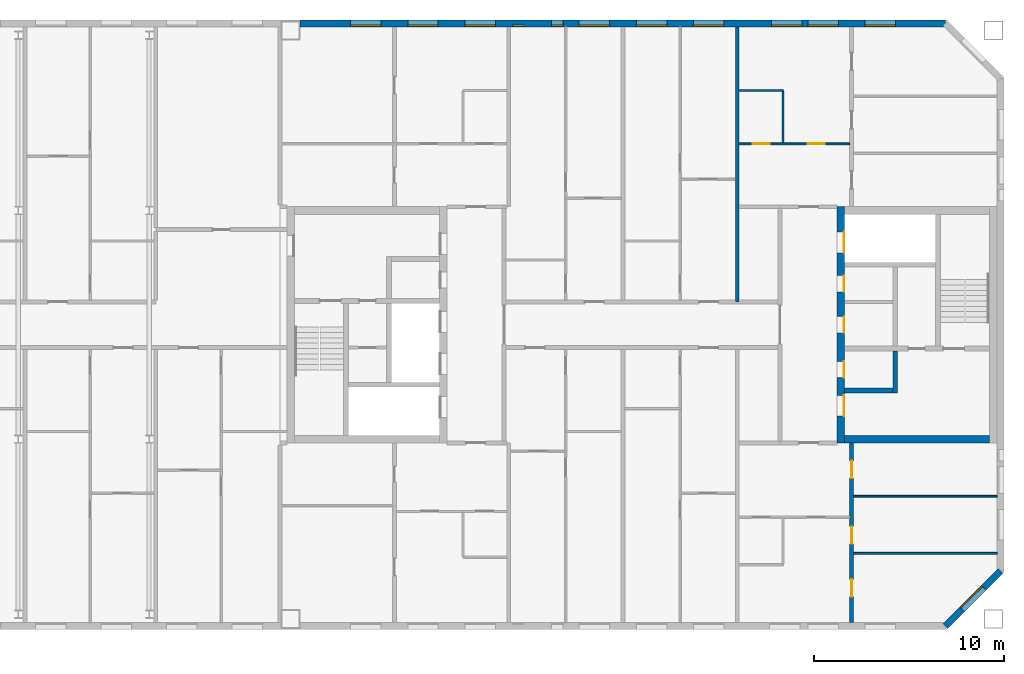
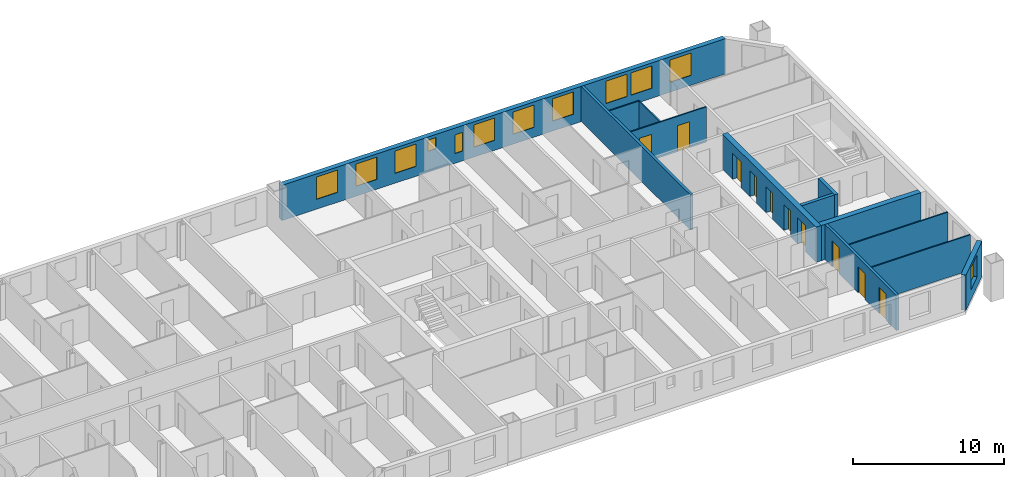
# One storey, part 16 of 19: 13 walls, 12 windows, 10 doors, 22 openings.
"""IFC4 building model written with IfcOpenShell, lengths in metres."""

from ifc_helpers import new_model, si_unit, direction, frame, frame_2d, origin, place, context, subcontext, project, spatial, rectangle, extrude, material, layer, layer_set, type_object, element, fill, save


model = new_model("IFC4")

# Units and contexts
model_context = context("Model", 3, precision=1e-05, world=origin(), true_north=direction((0.0, 1.0)))
body_context = subcontext(model_context, "Body", "Model", "MODEL_VIEW")
ifc_project = project(units=[si_unit("LENGTHUNIT", "METRE"), si_unit("AREAUNIT", "SQUARE_METRE"), si_unit("VOLUMEUNIT", "CUBIC_METRE"), si_unit("PLANEANGLEUNIT", "RADIAN"), si_unit("MASSUNIT", "GRAM", prefix="KILO")], contexts=[model_context])

# Site, building, storey
site_placement = place(None, origin())
site = spatial("IfcSite", under=ifc_project, at=site_placement, CompositionType="ELEMENT")
building_placement = place(site_placement, origin())
building = spatial("IfcBuilding", under=site, at=building_placement, Name="Tuart Gate Housing", CompositionType="ELEMENT")
storey_placement = place(building_placement, frame((0.0, 0.0, 224.5)))
storey = spatial("IfcBuildingStorey", under=building, at=storey_placement, Name="L63", CompositionType="ELEMENT", Elevation=224.5)

# Wall, opening, window
ifc_material_1 = material(Name="Brick", Category="masonry")
ifc_layer_1 = layer(ifc_material_1, 0.360107421875)
ifc_layer_set_1 = layer_set([ifc_layer_1], Name="Brick pier and spandrel wall 360")
wall_type_1 = type_object("IfcWallType", Name="Brick pier and spandrel wall 360", PredefinedType="STANDARD", material=ifc_layer_set_1)
wall_1_placement = place(storey_placement, frame((165.92529296875, 54.179931640625, 0.0), z_axis=(0.0, 0.0, 1.0), x_axis=(0.707106781187, 0.707106781187, 0.0)))
wall_1 = element("IfcWall", 1, at=wall_1_placement, inside=storey, type_object=wall_type_1, Name="External wall BLK-SE L63", PredefinedType="STANDARD", context=body_context, shape_type="SweptSolid", body=[
    extrude(rectangle(XDim=4.09375, YDim=0.360107421875, at=frame_2d((2.046875, 0.0))), origin(), (0.0, 0.0, 1.0), 2.85009765625),
])
opening_1_placement = place(wall_1_placement, frame((1.2470703125, 0.0, 0.800048828125)))
opening_1 = element("IfcOpeningElement", 2, at=opening_1_placement, cuts=wall_1, Name="Opening W1", PredefinedType="OPENING", context=body_context, shape_type="SweptSolid", body=[
    extrude(rectangle(XDim=1.60009765625, YDim=1.800048828125, at=frame_2d((0.800048828125, 0.89990234375))), frame((0.0, 0.18994140625, 0.0), z_axis=(0.0, -1.0, 0.0), x_axis=(1.0, 0.0, 0.0)), (0.0, 0.0, 1.0), 0.380126953125),
])
ifc_material_2 = material(Name="Aluminium frame with clear glass", Category="aluminium")
window_type_1 = type_object("IfcWindowType", Name="Punched window 1600 x 1800", PartitioningType="SINGLE_PANEL", PredefinedType="WINDOW", material=ifc_material_2)
window_1_placement = place(opening_1_placement, origin())
window_1 = element("IfcWindow", 3, at=window_1_placement, inside=storey, type_object=window_type_1, Name="Window W1", OverallHeight=1.800048828125, OverallWidth=1.60009765625, PartitioningType="SINGLE_PANEL", PredefinedType="WINDOW", context=body_context, shape_type="SweptSolid", body=[
    extrude(rectangle(XDim=1.60009765625, YDim=1.800048828125, at=frame_2d((0.800048828125, 0.89990234375))), frame((0.0, 0.150146484375, 0.0), z_axis=(0.0, -1.0, 0.0), x_axis=(1.0, 0.0, 0.0)), (0.0, 0.0, 1.0), 0.06005859375),
])
fill(opening_1, window_1)

# Wall, openings, windows
wall_2_placement = place(storey_placement, frame((165.92529296875, 85.820068359375, 0.0), z_axis=(0.0, 0.0, 1.0), x_axis=(-1.0, 0.0, 0.0)))
wall_2 = element("IfcWall", 4, at=wall_2_placement, inside=storey, type_object=wall_type_1, Name="External wall BLK-N L63", PredefinedType="STANDARD", context=body_context, shape_type="SweptSolid", body=[
    extrude(rectangle(XDim=33.875244140625, YDim=0.360107421875, at=frame_2d((16.9375, 0.0))), origin(), (0.0, 0.0, 1.0), 2.85009765625),
])
opening_2_placement = place(wall_2_placement, frame((2.62548828125, 0.0, 0.800048828125)))
opening_2 = element("IfcOpeningElement", 5, at=opening_2_placement, cuts=wall_2, Name="Opening W1", PredefinedType="OPENING", context=body_context, shape_type="SweptSolid", body=[
    extrude(rectangle(XDim=1.60009765625, YDim=1.800048828125, at=frame_2d((0.800048828125, 0.89990234375))), frame((0.0, 0.18994140625, 0.0), z_axis=(0.0, -1.0, 0.0), x_axis=(1.0, 0.0, 0.0)), (0.0, 0.0, 1.0), 0.380126953125),
])
opening_3_placement = place(wall_2_placement, frame((5.62548828125, 0.0, 0.800048828125)))
opening_3 = element("IfcOpeningElement", 6, at=opening_3_placement, cuts=wall_2, Name="Opening W1", PredefinedType="OPENING", context=body_context, shape_type="SweptSolid", body=[
    extrude(rectangle(XDim=1.60009765625, YDim=1.800048828125, at=frame_2d((0.800048828125, 0.89990234375))), frame((0.0, 0.18994140625, 0.0), z_axis=(0.0, -1.0, 0.0), x_axis=(1.0, 0.0, 0.0)), (0.0, 0.0, 1.0), 0.380126953125),
])
opening_4_placement = place(wall_2_placement, frame((7.525390625, 0.0, 0.800048828125)))
opening_4 = element("IfcOpeningElement", 7, at=opening_4_placement, cuts=wall_2, Name="Opening W1", PredefinedType="OPENING", context=body_context, shape_type="SweptSolid", body=[
    extrude(rectangle(XDim=1.60009765625, YDim=1.800048828125, at=frame_2d((0.800048828125, 0.89990234375))), frame((0.0, 0.18994140625, 0.0), z_axis=(0.0, -1.0, 0.0), x_axis=(1.0, 0.0, 0.0)), (0.0, 0.0, 1.0), 0.380126953125),
])
opening_5_placement = place(wall_2_placement, frame((11.62548828125, 0.0, 0.800048828125)))
opening_5 = element("IfcOpeningElement", 8, at=opening_5_placement, cuts=wall_2, Name="Opening W1", PredefinedType="OPENING", context=body_context, shape_type="SweptSolid", body=[
    extrude(rectangle(XDim=1.60009765625, YDim=1.800048828125, at=frame_2d((0.800048828125, 0.89990234375))), frame((0.0, 0.18994140625, 0.0), z_axis=(0.0, -1.0, 0.0), x_axis=(1.0, 0.0, 0.0)), (0.0, 0.0, 1.0), 0.380126953125),
])
opening_6_placement = place(wall_2_placement, frame((14.62548828125, 0.0, 0.800048828125)))
opening_6 = element("IfcOpeningElement", 9, at=opening_6_placement, cuts=wall_2, Name="Opening W1", PredefinedType="OPENING", context=body_context, shape_type="SweptSolid", body=[
    extrude(rectangle(XDim=1.60009765625, YDim=1.800048828125, at=frame_2d((0.800048828125, 0.89990234375))), frame((0.0, 0.18994140625, 0.0), z_axis=(0.0, -1.0, 0.0), x_axis=(1.0, 0.0, 0.0)), (0.0, 0.0, 1.0), 0.380126953125),
])
opening_7_placement = place(wall_2_placement, frame((17.62548828125, 0.0, 0.800048828125)))
opening_7 = element("IfcOpeningElement", 10, at=opening_7_placement, cuts=wall_2, Name="Opening W1", PredefinedType="OPENING", context=body_context, shape_type="SweptSolid", body=[
    extrude(rectangle(XDim=1.60009765625, YDim=1.800048828125, at=frame_2d((0.800048828125, 0.89990234375))), frame((0.0, 0.18994140625, 0.0), z_axis=(0.0, -1.0, 0.0), x_axis=(1.0, 0.0, 0.0)), (0.0, 0.0, 1.0), 0.380126953125),
])
opening_8_placement = place(wall_2_placement, frame((20.075439453125, 0.0, 0.800048828125)))
opening_8 = element("IfcOpeningElement", 11, at=opening_8_placement, cuts=wall_2, Name="Opening W1K", PredefinedType="OPENING", context=body_context, shape_type="SweptSolid", body=[
    extrude(rectangle(XDim=0.60009765625, YDim=1.5, at=frame_2d((0.300048828125, 0.75))), frame((0.0, 0.18994140625, 0.0), z_axis=(0.0, -1.0, 0.0), x_axis=(1.0, 0.0, 0.0)), (0.0, 0.0, 1.0), 0.380126953125),
])
opening_9_placement = place(wall_2_placement, frame((23.62548828125, 0.0, 0.800048828125)))
opening_9 = element("IfcOpeningElement", 12, at=opening_9_placement, cuts=wall_2, Name="Opening W1", PredefinedType="OPENING", context=body_context, shape_type="SweptSolid", body=[
    extrude(rectangle(XDim=1.60009765625, YDim=1.800048828125, at=frame_2d((0.800048828125, 0.89990234375))), frame((0.0, 0.18994140625, 0.0), z_axis=(0.0, -1.0, 0.0), x_axis=(1.0, 0.0, 0.0)), (0.0, 0.0, 1.0), 0.380126953125),
])
opening_10_placement = place(wall_2_placement, frame((26.62548828125, 0.0, 0.800048828125)))
opening_10 = element("IfcOpeningElement", 13, at=opening_10_placement, cuts=wall_2, Name="Opening W1", PredefinedType="OPENING", context=body_context, shape_type="SweptSolid", body=[
    extrude(rectangle(XDim=1.60009765625, YDim=1.800048828125, at=frame_2d((0.800048828125, 0.89990234375))), frame((0.0, 0.18994140625, 0.0), z_axis=(0.0, -1.0, 0.0), x_axis=(1.0, 0.0, 0.0)), (0.0, 0.0, 1.0), 0.380126953125),
])
opening_11_placement = place(wall_2_placement, frame((29.62548828125, 0.0, 0.800048828125)))
opening_11 = element("IfcOpeningElement", 14, at=opening_11_placement, cuts=wall_2, Name="Opening W1", PredefinedType="OPENING", context=body_context, shape_type="SweptSolid", body=[
    extrude(rectangle(XDim=1.60009765625, YDim=1.800048828125, at=frame_2d((0.800048828125, 0.89990234375))), frame((0.0, 0.18994140625, 0.0), z_axis=(0.0, -1.0, 0.0), x_axis=(1.0, 0.0, 0.0)), (0.0, 0.0, 1.0), 0.380126953125),
])
opening_12_placement = place(wall_2_placement, frame((22.12548828125, 0.0, 1.699951171875)))
opening_12 = element("IfcOpeningElement", 15, at=opening_12_placement, cuts=wall_2, Name="Opening W1W", PredefinedType="OPENING", context=body_context, shape_type="SweptSolid", body=[
    extrude(rectangle(XDim=0.60009765625, YDim=0.89990234375, at=frame_2d((0.300048828125, 0.449951171875))), frame((0.0, 0.18994140625, 0.0), z_axis=(0.0, -1.0, 0.0), x_axis=(1.0, 0.0, 0.0)), (0.0, 0.0, 1.0), 0.380126953125),
])
window_2_placement = place(opening_2_placement, origin())
window_2 = element("IfcWindow", 16, at=window_2_placement, inside=storey, type_object=window_type_1, Name="Window W1", OverallHeight=1.800048828125, OverallWidth=1.60009765625, PartitioningType="SINGLE_PANEL", PredefinedType="WINDOW", context=body_context, shape_type="SweptSolid", body=[
    extrude(rectangle(XDim=1.60009765625, YDim=1.800048828125, at=frame_2d((0.800048828125, 0.89990234375))), frame((0.0, 0.150146484375, 0.0), z_axis=(0.0, -1.0, 0.0), x_axis=(1.0, 0.0, 0.0)), (0.0, 0.0, 1.0), 0.06005859375),
])
fill(opening_2, window_2)
window_3_placement = place(opening_3_placement, origin())
window_3 = element("IfcWindow", 17, at=window_3_placement, inside=storey, type_object=window_type_1, Name="Window W1", OverallHeight=1.800048828125, OverallWidth=1.60009765625, PartitioningType="SINGLE_PANEL", PredefinedType="WINDOW", context=body_context, shape_type="SweptSolid", body=[
    extrude(rectangle(XDim=1.60009765625, YDim=1.800048828125, at=frame_2d((0.800048828125, 0.89990234375))), frame((0.0, 0.150146484375, 0.0), z_axis=(0.0, -1.0, 0.0), x_axis=(1.0, 0.0, 0.0)), (0.0, 0.0, 1.0), 0.06005859375),
])
fill(opening_3, window_3)
window_4_placement = place(opening_4_placement, origin())
window_4 = element("IfcWindow", 18, at=window_4_placement, inside=storey, type_object=window_type_1, Name="Window W1", OverallHeight=1.800048828125, OverallWidth=1.60009765625, PartitioningType="SINGLE_PANEL", PredefinedType="WINDOW", context=body_context, shape_type="SweptSolid", body=[
    extrude(rectangle(XDim=1.60009765625, YDim=1.800048828125, at=frame_2d((0.800048828125, 0.89990234375))), frame((0.0, 0.150146484375, 0.0), z_axis=(0.0, -1.0, 0.0), x_axis=(1.0, 0.0, 0.0)), (0.0, 0.0, 1.0), 0.06005859375),
])
fill(opening_4, window_4)
window_5_placement = place(opening_5_placement, origin())
window_5 = element("IfcWindow", 19, at=window_5_placement, inside=storey, type_object=window_type_1, Name="Window W1", OverallHeight=1.800048828125, OverallWidth=1.60009765625, PartitioningType="SINGLE_PANEL", PredefinedType="WINDOW", context=body_context, shape_type="SweptSolid", body=[
    extrude(rectangle(XDim=1.60009765625, YDim=1.800048828125, at=frame_2d((0.800048828125, 0.89990234375))), frame((0.0, 0.150146484375, 0.0), z_axis=(0.0, -1.0, 0.0), x_axis=(1.0, 0.0, 0.0)), (0.0, 0.0, 1.0), 0.06005859375),
])
fill(opening_5, window_5)
window_6_placement = place(opening_6_placement, origin())
window_6 = element("IfcWindow", 20, at=window_6_placement, inside=storey, type_object=window_type_1, Name="Window W1", OverallHeight=1.800048828125, OverallWidth=1.60009765625, PartitioningType="SINGLE_PANEL", PredefinedType="WINDOW", context=body_context, shape_type="SweptSolid", body=[
    extrude(rectangle(XDim=1.60009765625, YDim=1.800048828125, at=frame_2d((0.800048828125, 0.89990234375))), frame((0.0, 0.150146484375, 0.0), z_axis=(0.0, -1.0, 0.0), x_axis=(1.0, 0.0, 0.0)), (0.0, 0.0, 1.0), 0.06005859375),
])
fill(opening_6, window_6)
window_7_placement = place(opening_7_placement, origin())
window_7 = element("IfcWindow", 21, at=window_7_placement, inside=storey, type_object=window_type_1, Name="Window W1", OverallHeight=1.800048828125, OverallWidth=1.60009765625, PartitioningType="SINGLE_PANEL", PredefinedType="WINDOW", context=body_context, shape_type="SweptSolid", body=[
    extrude(rectangle(XDim=1.60009765625, YDim=1.800048828125, at=frame_2d((0.800048828125, 0.89990234375))), frame((0.0, 0.150146484375, 0.0), z_axis=(0.0, -1.0, 0.0), x_axis=(1.0, 0.0, 0.0)), (0.0, 0.0, 1.0), 0.06005859375),
])
fill(opening_7, window_7)
window_8_placement = place(opening_9_placement, origin())
window_8 = element("IfcWindow", 22, at=window_8_placement, inside=storey, type_object=window_type_1, Name="Window W1", OverallHeight=1.800048828125, OverallWidth=1.60009765625, PartitioningType="SINGLE_PANEL", PredefinedType="WINDOW", context=body_context, shape_type="SweptSolid", body=[
    extrude(rectangle(XDim=1.60009765625, YDim=1.800048828125, at=frame_2d((0.800048828125, 0.89990234375))), frame((0.0, 0.150146484375, 0.0), z_axis=(0.0, -1.0, 0.0), x_axis=(1.0, 0.0, 0.0)), (0.0, 0.0, 1.0), 0.06005859375),
])
fill(opening_9, window_8)
window_9_placement = place(opening_10_placement, origin())
window_9 = element("IfcWindow", 23, at=window_9_placement, inside=storey, type_object=window_type_1, Name="Window W1", OverallHeight=1.800048828125, OverallWidth=1.60009765625, PartitioningType="SINGLE_PANEL", PredefinedType="WINDOW", context=body_context, shape_type="SweptSolid", body=[
    extrude(rectangle(XDim=1.60009765625, YDim=1.800048828125, at=frame_2d((0.800048828125, 0.89990234375))), frame((0.0, 0.150146484375, 0.0), z_axis=(0.0, -1.0, 0.0), x_axis=(1.0, 0.0, 0.0)), (0.0, 0.0, 1.0), 0.06005859375),
])
fill(opening_10, window_9)
window_10_placement = place(opening_11_placement, origin())
window_10 = element("IfcWindow", 24, at=window_10_placement, inside=storey, type_object=window_type_1, Name="Window W1", OverallHeight=1.800048828125, OverallWidth=1.60009765625, PartitioningType="SINGLE_PANEL", PredefinedType="WINDOW", context=body_context, shape_type="SweptSolid", body=[
    extrude(rectangle(XDim=1.60009765625, YDim=1.800048828125, at=frame_2d((0.800048828125, 0.89990234375))), frame((0.0, 0.150146484375, 0.0), z_axis=(0.0, -1.0, 0.0), x_axis=(1.0, 0.0, 0.0)), (0.0, 0.0, 1.0), 0.06005859375),
])
fill(opening_11, window_10)
ifc_material_3 = material(Name="Aluminium frame with clear glass", Category="aluminium")
window_type_2 = type_object("IfcWindowType", Name="Punched window 600 x 1500", PartitioningType="SINGLE_PANEL", PredefinedType="WINDOW", material=ifc_material_3)
window_11_placement = place(opening_8_placement, origin())
window_11 = element("IfcWindow", 25, at=window_11_placement, inside=storey, type_object=window_type_2, Name="Window W1K", OverallHeight=1.5, OverallWidth=0.60009765625, PartitioningType="SINGLE_PANEL", PredefinedType="WINDOW", context=body_context, shape_type="SweptSolid", body=[
    extrude(rectangle(XDim=0.60009765625, YDim=1.5, at=frame_2d((0.300048828125, 0.75))), frame((0.0, 0.150146484375, 0.0), z_axis=(0.0, -1.0, 0.0), x_axis=(1.0, 0.0, 0.0)), (0.0, 0.0, 1.0), 0.06005859375),
])
fill(opening_8, window_11)
ifc_material_4 = material(Name="Aluminium frame with clear glass", Category="aluminium")
window_type_3 = type_object("IfcWindowType", Name="Punched window 600 x 900", PartitioningType="SINGLE_PANEL", PredefinedType="WINDOW", material=ifc_material_4)
window_12_placement = place(opening_12_placement, origin())
window_12 = element("IfcWindow", 26, at=window_12_placement, inside=storey, type_object=window_type_3, Name="Window W1W", OverallHeight=0.89990234375, OverallWidth=0.60009765625, PartitioningType="SINGLE_PANEL", PredefinedType="WINDOW", context=body_context, shape_type="SweptSolid", body=[
    extrude(rectangle(XDim=0.60009765625, YDim=0.89990234375, at=frame_2d((0.300048828125, 0.449951171875))), frame((0.0, 0.150146484375, 0.0), z_axis=(0.0, -1.0, 0.0), x_axis=(1.0, 0.0, 0.0)), (0.0, 0.0, 1.0), 0.06005859375),
])
fill(opening_12, window_12)

# Walls
ifc_material_5 = material(Name="Concrete C40", Category="concrete")
ifc_layer_2 = layer(ifc_material_5, 0.25)
ifc_layer_set_2 = layer_set([ifc_layer_2], Name="Core wall 250 C40")
wall_type_2 = type_object("IfcWallType", Name="Core wall 250 C40", PredefinedType="SHEAR", material=ifc_layer_set_2)
wall_3_placement = place(storey_placement, frame((160.639892578125, 66.550048828125, 0.0), z_axis=(0.0, 0.0, 1.0), x_axis=(1.0, 0.0, 0.0)))
element("IfcWall", 27, at=wall_3_placement, inside=storey, type_object=wall_type_2, Name="Core wall BK.4", PredefinedType="SHEAR", context=body_context, shape_type="SweptSolid", body=[
    extrude(rectangle(XDim=2.525146484375, YDim=0.25, at=frame_2d((1.2626953125, 0.0))), origin(), (0.0, 0.0, 1.0), 2.85009765625),
])
wall_4_placement = place(storey_placement, frame((163.2900390625, 68.625, 0.0), z_axis=(0.0, 0.0, 1.0), x_axis=(0.0, -1.0, 0.0)))
element("IfcWall", 28, at=wall_4_placement, inside=storey, type_object=wall_type_2, Name="Core wall BK.6", PredefinedType="SHEAR", context=body_context, shape_type="SweptSolid", body=[
    extrude(rectangle(XDim=2.199951171875, YDim=0.25, at=frame_2d((1.10009765625, 0.0))), origin(), (0.0, 0.0, 1.0), 2.85009765625),
])

# Wall, openings, doors
ifc_material_6 = material(Name="Concrete C40", Category="concrete")
ifc_layer_3 = layer(ifc_material_6, 0.39990234375)
ifc_layer_set_3 = layer_set([ifc_layer_3], Name="Core wall 400 C40")
wall_type_3 = type_object("IfcWallType", Name="Core wall 400 C40", PredefinedType="SHEAR", material=ifc_layer_set_3)
wall_5_placement = place(storey_placement, frame((160.43994140625, 76.199951171875, 0.0), z_axis=(0.0, 0.0, 1.0), x_axis=(0.0, -1.0, 0.0)))
wall_5 = element("IfcWall", 29, at=wall_5_placement, inside=storey, type_object=wall_type_3, Name="Core wall BK front", PredefinedType="SHEAR", context=body_context, shape_type="SweptSolid", body=[
    extrude(rectangle(XDim=12.39990234375, YDim=0.39990234375, at=frame_2d((6.199951171875, 0.0))), origin(), (0.0, 0.0, 1.0), 2.85009765625),
])
opening_13_placement = place(wall_5_placement, frame((1.324951171875, 0.0, 0.0)))
opening_13 = element("IfcOpeningElement", 30, at=opening_13_placement, cuts=wall_5, Name="Opening LD-FB2", PredefinedType="OPENING", context=body_context, shape_type="SweptSolid", body=[
    extrude(rectangle(XDim=1.10009765625, YDim=2.10009765625, at=frame_2d((0.550048828125, 1.050048828125))), frame((0.0, 0.2099609375, 0.0), z_axis=(0.0, -1.0, 0.0), x_axis=(1.0, 0.0, 0.0)), (0.0, 0.0, 1.0), 0.419921875),
])
opening_14_placement = place(wall_5_placement, frame((3.625, 0.0, 0.0)))
opening_14 = element("IfcOpeningElement", 31, at=opening_14_placement, cuts=wall_5, Name="Opening D2418", PredefinedType="OPENING", context=body_context, shape_type="SweptSolid", body=[
    extrude(rectangle(XDim=0.85009765625, YDim=2.10009765625, at=frame_2d((0.425048828125, 1.050048828125))), frame((0.0, 0.2099609375, 0.0), z_axis=(0.0, -1.0, 0.0), x_axis=(1.0, 0.0, 0.0)), (0.0, 0.0, 1.0), 0.419921875),
])
opening_15_placement = place(wall_5_placement, frame((5.77490234375, 0.0, 0.0)))
opening_15 = element("IfcOpeningElement", 32, at=opening_15_placement, cuts=wall_5, Name="Opening D2419", PredefinedType="OPENING", context=body_context, shape_type="SweptSolid", body=[
    extrude(rectangle(XDim=0.85009765625, YDim=2.10009765625, at=frame_2d((0.425048828125, 1.050048828125))), frame((0.0, 0.2099609375, 0.0), z_axis=(0.0, -1.0, 0.0), x_axis=(1.0, 0.0, 0.0)), (0.0, 0.0, 1.0), 0.419921875),
])
opening_16_placement = place(wall_5_placement, frame((9.89990234375, 0.0, 0.0)))
opening_16 = element("IfcOpeningElement", 33, at=opening_16_placement, cuts=wall_5, Name="Opening D2417", PredefinedType="OPENING", context=body_context, shape_type="SweptSolid", body=[
    extrude(rectangle(XDim=1.10009765625, YDim=2.10009765625, at=frame_2d((0.550048828125, 1.050048828125))), frame((0.0, 0.2099609375, 0.0), z_axis=(0.0, -1.0, 0.0), x_axis=(1.0, 0.0, 0.0)), (0.0, 0.0, 1.0), 0.419921875),
])
opening_17_placement = place(wall_5_placement, frame((8.125, 0.0, 0.0)))
opening_17 = element("IfcOpeningElement", 34, at=opening_17_placement, cuts=wall_5, Name="Opening D2420", PredefinedType="OPENING", context=body_context, shape_type="SweptSolid", body=[
    extrude(rectangle(XDim=0.85009765625, YDim=2.10009765625, at=frame_2d((0.425048828125, 1.050048828125))), frame((0.0, 0.2099609375, 0.0), z_axis=(0.0, -1.0, 0.0), x_axis=(1.0, 0.0, 0.0)), (0.0, 0.0, 1.0), 0.419921875),
])
ifc_material_7 = material(Name="Stainless steel", Category="steel")
door_type_1 = type_object("IfcDoorType", Name="Landing door 1100 x 2100", OperationType="DOUBLE_DOOR_SLIDING", PredefinedType="DOOR", material=ifc_material_7)
door_1_placement = place(opening_13_placement, origin())
door_1 = element("IfcDoor", 35, at=door_1_placement, inside=storey, type_object=door_type_1, Name="Lift landing door FB2", OperationType="DOUBLE_DOOR_SLIDING", OverallHeight=2.10009765625, OverallWidth=1.10009765625, PredefinedType="DOOR", context=body_context, shape_type="SweptSolid", body=[
    extrude(rectangle(XDim=1.10009765625, YDim=2.10009765625, at=frame_2d((0.550048828125, 1.050048828125))), frame((0.0, 0.18505859375, 0.0), z_axis=(0.0, -1.0, 0.0), x_axis=(1.0, 0.0, 0.0)), (0.0, 0.0, 1.0), 0.050048828125),
])
fill(opening_13, door_1)
ifc_material_8 = material(Name="Steel fire door", Category="steel")
door_type_2 = type_object("IfcDoorType", Name="Lobby door 1100 x 2100", OperationType="SINGLE_SWING_LEFT", PredefinedType="DOOR", material=ifc_material_8)
door_2_placement = place(opening_16_placement, origin())
door_2 = element("IfcDoor", 36, at=door_2_placement, inside=storey, type_object=door_type_2, Name="Lobby entry door BK.EN", OperationType="SINGLE_SWING_LEFT", OverallHeight=2.10009765625, OverallWidth=1.10009765625, PredefinedType="DOOR", context=body_context, shape_type="SweptSolid", body=[
    extrude(rectangle(XDim=1.10009765625, YDim=2.10009765625, at=frame_2d((0.550048828125, 1.050048828125))), frame((0.0, 0.18505859375, 0.0), z_axis=(0.0, -1.0, 0.0), x_axis=(1.0, 0.0, 0.0)), (0.0, 0.0, 1.0), 0.050048828125),
])
fill(opening_16, door_2)
ifc_material_9 = material(Name="Steel fire door", Category="steel")
door_type_3 = type_object("IfcDoorType", Name="Service door 850 x 2100", OperationType="SINGLE_SWING_LEFT", PredefinedType="DOOR", material=ifc_material_9)
door_3_placement = place(opening_14_placement, origin())
door_3 = element("IfcDoor", 37, at=door_3_placement, inside=storey, type_object=door_type_3, Name="Service room door BK.FR1", OperationType="SINGLE_SWING_LEFT", OverallHeight=2.10009765625, OverallWidth=0.85009765625, PredefinedType="DOOR", context=body_context, shape_type="SweptSolid", body=[
    extrude(rectangle(XDim=0.85009765625, YDim=2.10009765625, at=frame_2d((0.425048828125, 1.050048828125))), frame((0.0, 0.18505859375, 0.0), z_axis=(0.0, -1.0, 0.0), x_axis=(1.0, 0.0, 0.0)), (0.0, 0.0, 1.0), 0.050048828125),
])
fill(opening_14, door_3)
door_4_placement = place(opening_15_placement, origin())
door_4 = element("IfcDoor", 38, at=door_4_placement, inside=storey, type_object=door_type_3, Name="Service room door BK.FR2", OperationType="SINGLE_SWING_LEFT", OverallHeight=2.10009765625, OverallWidth=0.85009765625, PredefinedType="DOOR", context=body_context, shape_type="SweptSolid", body=[
    extrude(rectangle(XDim=0.85009765625, YDim=2.10009765625, at=frame_2d((0.425048828125, 1.050048828125))), frame((0.0, 0.18505859375, 0.0), z_axis=(0.0, -1.0, 0.0), x_axis=(1.0, 0.0, 0.0)), (0.0, 0.0, 1.0), 0.050048828125),
])
fill(opening_15, door_4)
door_5_placement = place(opening_17_placement, origin())
door_5 = element("IfcDoor", 39, at=door_5_placement, inside=storey, type_object=door_type_3, Name="Service room door BK.T1", OperationType="SINGLE_SWING_LEFT", OverallHeight=2.10009765625, OverallWidth=0.85009765625, PredefinedType="DOOR", context=body_context, shape_type="SweptSolid", body=[
    extrude(rectangle(XDim=0.85009765625, YDim=2.10009765625, at=frame_2d((0.425048828125, 1.050048828125))), frame((0.0, 0.18505859375, 0.0), z_axis=(0.0, -1.0, 0.0), x_axis=(1.0, 0.0, 0.0)), (0.0, 0.0, 1.0), 0.050048828125),
])
fill(opening_17, door_5)

# Walls
wall_6_placement = place(storey_placement, frame((160.639892578125, 64.0, 0.0), z_axis=(0.0, 0.0, 1.0), x_axis=(1.0, 0.0, 0.0)))
element("IfcWall", 40, at=wall_6_placement, inside=storey, type_object=wall_type_3, Name="Core wall BK north", PredefinedType="SHEAR", context=body_context, shape_type="SweptSolid", body=[
    extrude(rectangle(XDim=7.60009765625, YDim=0.39990234375, at=frame_2d((3.800048828125, 0.0))), origin(), (0.0, 0.0, 1.0), 2.85009765625),
])
ifc_material_10 = material(Name="Gypsum board on steel studs", Category="steel")
ifc_layer_4 = layer(ifc_material_10, 0.10009765625)
ifc_layer_set_4 = layer_set([ifc_layer_4], Name="Partition 100")
wall_type_4 = type_object("IfcWallType", Name="Partition 100", PredefinedType="PARTITIONING", material=ifc_layer_set_4)
for number, where, z_axis, x_axis, name in (
    (41, (161.10009765625, 58.0, 0.0), (0.0, 0.0, 1.0), (1.0, 0.0, 0.0), "Partition 100"),
    (42, (161.10009765625, 61.0, 0.0), (0.0, 0.0, 1.0), (1.0, 0.0, 0.0), "Partition 100"),
):
    element("IfcWall", number, at=place(storey_placement, frame(where, z_axis=z_axis, x_axis=x_axis)), inside=storey, type_object=wall_type_4, Name=name, PredefinedType="PARTITIONING", context=body_context, shape_type="SweptSolid", body=[
        extrude(rectangle(XDim=7.539794921875, YDim=0.10009765625, at=frame_2d((3.77001953125, 0.0))), origin(), (0.0, 0.0, 1.0), 2.85009765625),
    ])

# Wall, openings, doors
wall_7_placement = place(storey_placement, frame((155.10009765625, 79.5, 0.0), z_axis=(0.0, 0.0, 1.0), x_axis=(1.0, 0.0, 0.0)))
wall_7 = element("IfcWall", 43, at=wall_7_placement, inside=storey, type_object=wall_type_4, Name="Partition 100", PredefinedType="PARTITIONING", context=body_context, shape_type="SweptSolid", body=[
    extrude(rectangle(XDim=5.7998046875, YDim=0.10009765625, at=frame_2d((2.89990234375, 0.0))), origin(), (0.0, 0.0, 1.0), 2.85009765625),
])
opening_18_placement = place(wall_7_placement, frame((3.60009765625, 0.0, 0.0)))
opening_18 = element("IfcOpeningElement", 44, at=opening_18_placement, cuts=wall_7, Name="Opening D2399", PredefinedType="OPENING", context=body_context, shape_type="SweptSolid", body=[
    extrude(rectangle(XDim=0.89990234375, YDim=2.10009765625, at=frame_2d((0.449951171875, 1.050048828125))), frame((0.0, 0.06005859375, 0.0), z_axis=(0.0, -1.0, 0.0), x_axis=(1.0, 0.0, 0.0)), (0.0, 0.0, 1.0), 0.1201171875),
])
opening_19_placement = place(wall_7_placement, frame((0.699951171875, 0.0, 0.0)))
opening_19 = element("IfcOpeningElement", 45, at=opening_19_placement, cuts=wall_7, Name="Opening D2398", PredefinedType="OPENING", context=body_context, shape_type="SweptSolid", body=[
    extrude(rectangle(XDim=0.89990234375, YDim=2.10009765625, at=frame_2d((0.449951171875, 1.050048828125))), frame((0.0, 0.06005859375, 0.0), z_axis=(0.0, -1.0, 0.0), x_axis=(1.0, 0.0, 0.0)), (0.0, 0.0, 1.0), 0.1201171875),
])
ifc_material_11 = material(Name="Timber door leaf in steel frame", Category="steel")
door_type_4 = type_object("IfcDoorType", Name="Bathroom door 900 RH", OperationType="SINGLE_SWING_RIGHT", PredefinedType="DOOR", material=ifc_material_11)
door_6_placement = place(opening_19_placement, origin())
door_6 = element("IfcDoor", 46, at=door_6_placement, inside=storey, type_object=door_type_4, Name="Bathroom door", OperationType="SINGLE_SWING_RIGHT", OverallHeight=2.10009765625, OverallWidth=0.89990234375, PredefinedType="DOOR", context=body_context, shape_type="SweptSolid", body=[
    extrude(rectangle(XDim=0.89990234375, YDim=2.10009765625, at=frame_2d((0.449951171875, 1.050048828125))), frame((0.0, 0.02490234375, 0.0), z_axis=(0.0, -1.0, 0.0), x_axis=(1.0, 0.0, 0.0)), (0.0, 0.0, 1.0), 0.050048828125),
])
fill(opening_19, door_6)
ifc_material_12 = material(Name="Timber door leaf in steel frame", Category="steel")
door_type_5 = type_object("IfcDoorType", Name="Internal door 900", OperationType="SINGLE_SWING_LEFT", PredefinedType="DOOR", material=ifc_material_12)
door_7_placement = place(opening_18_placement, frame((0.89990234375, 0.0, 0.0), z_axis=(0.0, 0.0, 1.0), x_axis=(-1.0, 0.0, 0.0)))
door_7 = element("IfcDoor", 47, at=door_7_placement, inside=storey, type_object=door_type_5, Name="Internal door", OperationType="SINGLE_SWING_LEFT", OverallHeight=2.10009765625, OverallWidth=0.89990234375, PredefinedType="DOOR", context=body_context, shape_type="SweptSolid", body=[
    extrude(rectangle(XDim=0.89990234375, YDim=2.10009765625, at=frame_2d((0.449951171875, 1.050048828125))), frame((0.0, 0.025146484375, 0.0), z_axis=(0.0, -1.0, 0.0), x_axis=(1.0, 0.0, 0.0)), (0.0, 0.0, 1.0), 0.050048828125),
])
fill(opening_18, door_7)

# Walls
wall_8_placement = place(storey_placement, frame((155.10009765625, 82.300048828125, 0.0), z_axis=(0.0, 0.0, 1.0), x_axis=(1.0, 0.0, 0.0)))
element("IfcWall", 48, at=wall_8_placement, inside=storey, type_object=wall_type_4, Name="Partition 100", PredefinedType="PARTITIONING", context=body_context, shape_type="SweptSolid", body=[
    extrude(rectangle(XDim=2.2998046875, YDim=0.10009765625, at=frame_2d((1.14990234375, 0.0))), origin(), (0.0, 0.0, 1.0), 2.85009765625),
])
wall_9_placement = place(storey_placement, frame((157.39990234375, 79.550048828125, 0.0), z_axis=(0.0, 0.0, 1.0), x_axis=(0.0, 1.0, 0.0)))
element("IfcWall", 49, at=wall_9_placement, inside=storey, type_object=wall_type_4, Name="Partition 100", PredefinedType="PARTITIONING", context=body_context, shape_type="SweptSolid", body=[
    extrude(rectangle(XDim=2.699951171875, YDim=0.10009765625, at=frame_2d((1.35009765625, 0.0))), origin(), (0.0, 0.0, 1.0), 2.85009765625),
])
ifc_material_13 = material(Name="Concrete C40", Category="concrete")
ifc_layer_5 = layer(ifc_material_13, 0.199951171875)
ifc_layer_set_5 = layer_set([ifc_layer_5], Name="Party wall concrete C40 200")
wall_type_5 = type_object("IfcWallType", Name="Party wall concrete C40 200", PredefinedType="SOLIDWALL", material=ifc_layer_set_5)
wall_10_placement = place(storey_placement, frame((155.0, 71.199951171875, 0.0), z_axis=(0.0, 0.0, 1.0), x_axis=(0.0, 1.0, 0.0)))
element("IfcWall", 50, at=wall_10_placement, inside=storey, type_object=wall_type_5, Name="Party wall concrete C40 200", PredefinedType="SOLIDWALL", context=body_context, shape_type="SweptSolid", body=[
    extrude(rectangle(XDim=14.43994140625, YDim=0.199951171875, at=frame_2d((7.219970703125, 0.0))), origin(), (0.0, 0.0, 1.0), 2.85009765625),
])

# Wall, openings, doors
wall_11_placement = place(storey_placement, frame((161.0, 54.360107421875, 0.0), z_axis=(0.0, 0.0, 1.0), x_axis=(0.0, 1.0, 0.0)))
wall_11 = element("IfcWall", 51, at=wall_11_placement, inside=storey, type_object=wall_type_5, Name="Party wall concrete C40 200", PredefinedType="SOLIDWALL", context=body_context, shape_type="SweptSolid", body=[
    extrude(rectangle(XDim=9.43994140625, YDim=0.199951171875, at=frame_2d((4.719970703125, 0.0))), origin(), (0.0, 0.0, 1.0), 2.85009765625),
])
opening_20_placement = place(wall_11_placement, frame((1.3701171875, 0.0, 0.0)))
opening_20 = element("IfcOpeningElement", 52, at=opening_20_placement, cuts=wall_11, Name="Opening D2440", PredefinedType="OPENING", context=body_context, shape_type="SweptSolid", body=[
    extrude(rectangle(XDim=0.89990234375, YDim=2.10009765625, at=frame_2d((0.449951171875, 1.050048828125))), frame((0.0, 0.10986328125, 0.0), z_axis=(0.0, -1.0, 0.0), x_axis=(1.0, 0.0, 0.0)), (0.0, 0.0, 1.0), 0.219970703125),
])
opening_21_placement = place(wall_11_placement, frame((4.139892578125, 0.0, 0.0)))
opening_21 = element("IfcOpeningElement", 53, at=opening_21_placement, cuts=wall_11, Name="Opening D2441", PredefinedType="OPENING", context=body_context, shape_type="SweptSolid", body=[
    extrude(rectangle(XDim=0.89990234375, YDim=2.10009765625, at=frame_2d((0.449951171875, 1.050048828125))), frame((0.0, 0.10986328125, 0.0), z_axis=(0.0, -1.0, 0.0), x_axis=(1.0, 0.0, 0.0)), (0.0, 0.0, 1.0), 0.219970703125),
])
opening_22_placement = place(wall_11_placement, frame((7.590087890625, 0.0, 0.0)))
opening_22 = element("IfcOpeningElement", 54, at=opening_22_placement, cuts=wall_11, Name="Opening D2442", PredefinedType="OPENING", context=body_context, shape_type="SweptSolid", body=[
    extrude(rectangle(XDim=0.89990234375, YDim=2.10009765625, at=frame_2d((0.449951171875, 1.050048828125))), frame((0.0, 0.10986328125, 0.0), z_axis=(0.0, -1.0, 0.0), x_axis=(1.0, 0.0, 0.0)), (0.0, 0.0, 1.0), 0.219970703125),
])
ifc_material_14 = material(Name="Timber door leaf in steel frame", Category="steel")
door_type_6 = type_object("IfcDoorType", Name="Internal door 900 RH", OperationType="SINGLE_SWING_RIGHT", PredefinedType="DOOR", material=ifc_material_14)
door_8_placement = place(opening_20_placement, frame((0.89990234375, 0.0, 0.0), z_axis=(0.0, 0.0, 1.0), x_axis=(-1.0, 0.0, 0.0)))
door_8 = element("IfcDoor", 55, at=door_8_placement, inside=storey, type_object=door_type_6, Name="Internal door", OperationType="SINGLE_SWING_RIGHT", OverallHeight=2.10009765625, OverallWidth=0.89990234375, PredefinedType="DOOR", context=body_context, shape_type="SweptSolid", body=[
    extrude(rectangle(XDim=0.89990234375, YDim=2.10009765625, at=frame_2d((0.449951171875, 1.050048828125))), frame((0.0, 0.025146484375, 0.0), z_axis=(0.0, -1.0, 0.0), x_axis=(1.0, 0.0, 0.0)), (0.0, 0.0, 1.0), 0.050048828125),
])
fill(opening_20, door_8)
door_9_placement = place(opening_21_placement, frame((0.89990234375, 0.0, 0.0), z_axis=(0.0, 0.0, 1.0), x_axis=(-1.0, 0.0, 0.0)))
door_9 = element("IfcDoor", 56, at=door_9_placement, inside=storey, type_object=door_type_6, Name="Internal door", OperationType="SINGLE_SWING_RIGHT", OverallHeight=2.10009765625, OverallWidth=0.89990234375, PredefinedType="DOOR", context=body_context, shape_type="SweptSolid", body=[
    extrude(rectangle(XDim=0.89990234375, YDim=2.10009765625, at=frame_2d((0.449951171875, 1.050048828125))), frame((0.0, 0.025146484375, 0.0), z_axis=(0.0, -1.0, 0.0), x_axis=(1.0, 0.0, 0.0)), (0.0, 0.0, 1.0), 0.050048828125),
])
fill(opening_21, door_9)
door_10_placement = place(opening_22_placement, frame((0.89990234375, 0.0, 0.0), z_axis=(0.0, 0.0, 1.0), x_axis=(-1.0, 0.0, 0.0)))
door_10 = element("IfcDoor", 57, at=door_10_placement, inside=storey, type_object=door_type_6, Name="Internal door", OperationType="SINGLE_SWING_RIGHT", OverallHeight=2.10009765625, OverallWidth=0.89990234375, PredefinedType="DOOR", context=body_context, shape_type="SweptSolid", body=[
    extrude(rectangle(XDim=0.89990234375, YDim=2.10009765625, at=frame_2d((0.449951171875, 1.050048828125))), frame((0.0, 0.025146484375, 0.0), z_axis=(0.0, -1.0, 0.0), x_axis=(1.0, 0.0, 0.0)), (0.0, 0.0, 1.0), 0.050048828125),
])
fill(opening_22, door_10)

save(model, "model.ifc")
